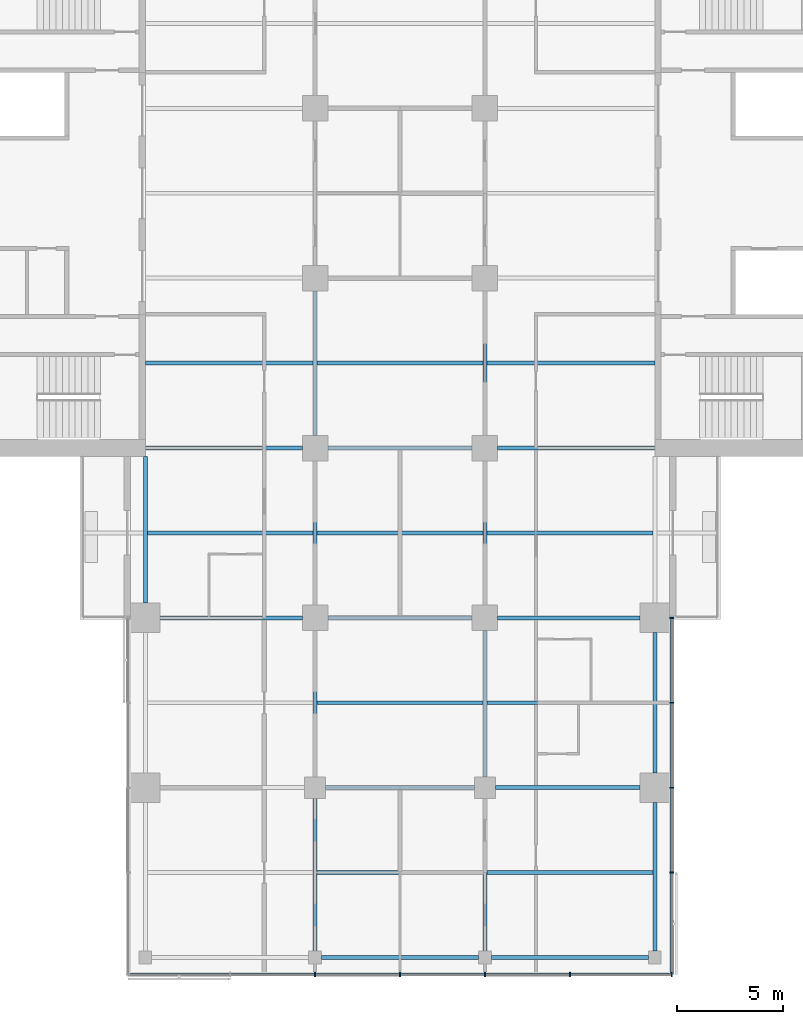
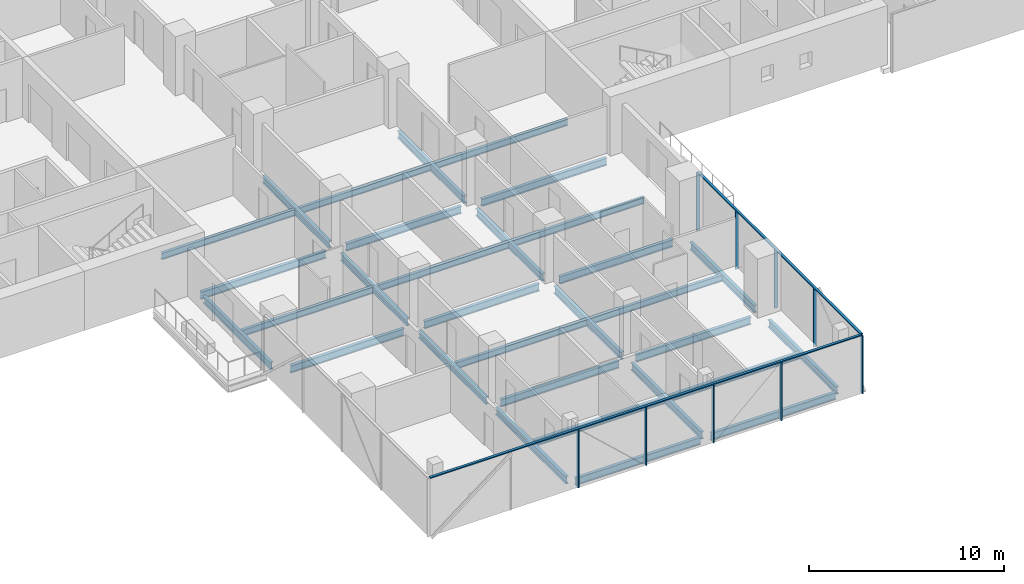
# One storey, part 4 of 27: 31 beams, 11 members, 2 elements without a shape of their own.
"""IFC4 building model written with IfcOpenShell, lengths in metres."""

from ifc_helpers import new_model, si_unit, direction, frame, origin, origin_2d, place, context, subcontext, project, spatial, rectangle, i_section, extrude, material, material_profile, profile_set, type_object, element, aggregate, save


model = new_model("IFC4")

# Units and contexts
model_context = context("Model", 3, precision=1e-05, world=origin(), true_north=direction((0.0, 1.0)))
body_context = subcontext(model_context, "Body", "Model", "MODEL_VIEW")
ifc_project = project(units=[si_unit("LENGTHUNIT", "METRE"), si_unit("AREAUNIT", "SQUARE_METRE"), si_unit("VOLUMEUNIT", "CUBIC_METRE"), si_unit("PLANEANGLEUNIT", "RADIAN"), si_unit("MASSUNIT", "GRAM", prefix="KILO")], contexts=[model_context])

# Site, building, storey
site_placement = place(None, origin())
site = spatial("IfcSite", under=ifc_project, at=site_placement, CompositionType="ELEMENT")
building_placement = place(site_placement, origin())
building = spatial("IfcBuilding", under=site, at=building_placement, Name="Crosswind Convention Tower", CompositionType="ELEMENT")
storey_placement = place(building_placement, frame((0.0, 0.0, 94.199951171875)))
storey = spatial("IfcBuildingStorey", under=building, at=storey_placement, Name="L18", CompositionType="ELEMENT", Elevation=94.199951171875)

# Beams
ifc_material_1 = material(Name="Steel S355", Category="steel")
ifc_material_profile_1 = material_profile(ifc_material_1, i_section(OverallWidth=0.1904296875, OverallDepth=0.457275390625, WebThickness=0.009033203125, FlangeThickness=0.014404296875, FilletRadius=0.01025390625, at=origin_2d()), Name="UB 457x191x75")
ifc_profile_set_1 = profile_set([ifc_material_profile_1], Name="Steel S355")
beam_type_1 = type_object("IfcBeamType", Name="Edge beam UB 457x191x75", PredefinedType="SPANDREL", material=ifc_profile_set_1)
beam_1_placement = place(storey_placement, frame((113.0, 80.699951171875, -0.508544921875), z_axis=(0.0, 1.0, 0.0), x_axis=(-1.0, 0.0, 0.0)))
element("IfcBeam", 1, at=beam_1_placement, inside=storey, type_object=beam_type_1, Name="B17 L18 edge beam 8", PredefinedType="SPANDREL", context=body_context, shape_type="SweptSolid", body=[
    extrude(i_section(OverallWidth=0.1904296875, OverallDepth=0.457275390625, WebThickness=0.009033203125, FlangeThickness=0.014404296875, FilletRadius=0.01025390625, at=origin_2d()), origin(), (0.0, 0.0, 1.0), 6.900146484375),
])
for number, where, z_axis, x_axis, name in (
    (2, (121.300048828125, 64.0, -0.508544921875), (1.0, 0.0, 0.0), (0.0, 1.0, 0.0), "B17 L18 edge beam 14"),
    (3, (129.300048828125, 64.0, -0.508544921875), (1.0, 0.0, 0.0), (0.0, 1.0, 0.0), "B17 L18 edge beam 16"),
):
    element("IfcBeam", number, at=place(storey_placement, frame(where, z_axis=z_axis, x_axis=x_axis)), inside=storey, type_object=beam_type_1, Name=name, PredefinedType="SPANDREL", context=body_context, shape_type="SweptSolid", body=[
        extrude(i_section(OverallWidth=0.1904296875, OverallDepth=0.457275390625, WebThickness=0.009033203125, FlangeThickness=0.014404296875, FilletRadius=0.01025390625, at=origin_2d()), origin(), (0.0, 0.0, 1.0), 7.39990234375),
    ])
beam_2_placement = place(storey_placement, frame((137.0, 64.300048828125, -0.508544921875), z_axis=(0.0, 1.0, 0.0), x_axis=(-1.0, 0.0, 0.0)))
element("IfcBeam", 4, at=beam_2_placement, inside=storey, type_object=beam_type_1, Name="B17 L18 edge beam 18", PredefinedType="SPANDREL", context=body_context, shape_type="SweptSolid", body=[
    extrude(i_section(OverallWidth=0.1904296875, OverallDepth=0.457275390625, WebThickness=0.009033203125, FlangeThickness=0.014404296875, FilletRadius=0.01025390625, at=origin_2d()), origin(), (0.0, 0.0, 1.0), 7.0),
])
beam_3_placement = place(storey_placement, frame((137.0, 72.699951171875, -0.508544921875), z_axis=(0.0, 1.0, 0.0), x_axis=(-1.0, 0.0, 0.0)))
element("IfcBeam", 5, at=beam_3_placement, inside=storey, type_object=beam_type_1, Name="B17 L18 edge beam 19", PredefinedType="SPANDREL", context=body_context, shape_type="SweptSolid", body=[
    extrude(i_section(OverallWidth=0.1904296875, OverallDepth=0.457275390625, WebThickness=0.009033203125, FlangeThickness=0.014404296875, FilletRadius=0.01025390625, at=origin_2d()), origin(), (0.0, 0.0, 1.0), 6.60009765625),
])
ifc_material_profile_2 = material_profile(ifc_material_1, i_section(OverallWidth=0.19140625, OverallDepth=0.460205078125, WebThickness=0.010009765625, FlangeThickness=0.01611328125, FilletRadius=0.01025390625, at=origin_2d()), Name="UB 457x191x82")
ifc_profile_set_2 = profile_set([ifc_material_profile_2], Name="Steel S355")
beam_type_2 = type_object("IfcBeamType", Name="Girder UB 457x191x82", PredefinedType="BEAM", material=ifc_profile_set_2)
beam_4_placement = place(storey_placement, frame((113.699951171875, 80.0, -0.510009765625), z_axis=(1.0, 0.0, 0.0), x_axis=(0.0, 1.0, 0.0)))
element("IfcBeam", 6, at=beam_4_placement, inside=storey, type_object=beam_type_2, Name="B3 L18 girder 2", PredefinedType="BEAM", context=body_context, shape_type="SweptSolid", body=[
    extrude(i_section(OverallWidth=0.19140625, OverallDepth=0.460205078125, WebThickness=0.010009765625, FlangeThickness=0.01611328125, FilletRadius=0.01025390625, at=origin_2d()), origin(), (0.0, 0.0, 1.0), 6.699951171875),
])
beam_5_placement = place(storey_placement, frame((121.0, 64.300048828125, -0.510009765625), z_axis=(0.0, 1.0, 0.0), x_axis=(-1.0, 0.0, 0.0)))
element("IfcBeam", 7, at=beam_5_placement, inside=storey, type_object=beam_type_2, Name="B3 L18 girder 5", PredefinedType="BEAM", context=body_context, shape_type="SweptSolid", body=[
    extrude(i_section(OverallWidth=0.19140625, OverallDepth=0.460205078125, WebThickness=0.010009765625, FlangeThickness=0.01611328125, FilletRadius=0.01025390625, at=origin_2d()), origin(), (0.0, 0.0, 1.0), 7.199951171875),
])
beam_6_placement = place(storey_placement, frame((121.0, 72.5, -0.510009765625), z_axis=(0.0, 1.0, 0.0), x_axis=(-1.0, 0.0, 0.0)))
element("IfcBeam", 8, at=beam_6_placement, inside=storey, type_object=beam_type_2, Name="B3 L18 girder 6", PredefinedType="BEAM", context=body_context, shape_type="SweptSolid", body=[
    extrude(i_section(OverallWidth=0.19140625, OverallDepth=0.460205078125, WebThickness=0.010009765625, FlangeThickness=0.01611328125, FilletRadius=0.01025390625, at=origin_2d()), origin(), (0.0, 0.0, 1.0), 6.89990234375),
])
for number, where, z_axis, x_axis, name in (
    (9, (121.0, 80.60009765625, -0.510009765625), (0.0, 1.0, 0.0), (-1.0, 0.0, 0.0), "B3 L18 girder 7"),
    (10, (121.0, 88.60009765625, -0.510009765625), (0.0, 1.0, 0.0), (-1.0, 0.0, 0.0), "B3 L18 girder 8"),
):
    element("IfcBeam", number, at=place(storey_placement, frame(where, z_axis=z_axis, x_axis=x_axis)), inside=storey, type_object=beam_type_2, Name=name, PredefinedType="BEAM", context=body_context, shape_type="SweptSolid", body=[
        extrude(i_section(OverallWidth=0.19140625, OverallDepth=0.460205078125, WebThickness=0.010009765625, FlangeThickness=0.01611328125, FilletRadius=0.01025390625, at=origin_2d()), origin(), (0.0, 0.0, 1.0), 6.7998046875),
    ])
beam_7_placement = place(storey_placement, frame((121.5, 72.0, -0.510009765625), z_axis=(1.0, 0.0, 0.0), x_axis=(0.0, 1.0, 0.0)))
element("IfcBeam", 11, at=beam_7_placement, inside=storey, type_object=beam_type_2, Name="B3 L18 girder 14", PredefinedType="BEAM", context=body_context, shape_type="SweptSolid", body=[
    extrude(i_section(OverallWidth=0.19140625, OverallDepth=0.460205078125, WebThickness=0.010009765625, FlangeThickness=0.01611328125, FilletRadius=0.01025390625, at=origin_2d()), origin(), (0.0, 0.0, 1.0), 7.0),
])
for number, where, z_axis, x_axis, name in (
    (12, (121.60009765625, 80.0, -0.510009765625), (1.0, 0.0, 0.0), (0.0, 1.0, 0.0), "B3 L18 girder 16"),
    (13, (121.60009765625, 88.0, -0.510009765625), (1.0, 0.0, 0.0), (0.0, 1.0, 0.0), "B3 L18 girder 17"),
):
    element("IfcBeam", number, at=place(storey_placement, frame(where, z_axis=z_axis, x_axis=x_axis)), inside=storey, type_object=beam_type_2, Name=name, PredefinedType="BEAM", context=body_context, shape_type="SweptSolid", body=[
        extrude(i_section(OverallWidth=0.19140625, OverallDepth=0.460205078125, WebThickness=0.010009765625, FlangeThickness=0.01611328125, FilletRadius=0.01025390625, at=origin_2d()), origin(), (0.0, 0.0, 1.0), 6.7998046875),
    ])
beam_8_placement = place(storey_placement, frame((129.0, 64.300048828125, -0.510009765625), z_axis=(0.0, 1.0, 0.0), x_axis=(-1.0, 0.0, 0.0)))
element("IfcBeam", 14, at=beam_8_placement, inside=storey, type_object=beam_type_2, Name="B3 L18 girder 22", PredefinedType="BEAM", context=body_context, shape_type="SweptSolid", body=[
    extrude(i_section(OverallWidth=0.19140625, OverallDepth=0.460205078125, WebThickness=0.010009765625, FlangeThickness=0.01611328125, FilletRadius=0.01025390625, at=origin_2d()), origin(), (0.0, 0.0, 1.0), 7.199951171875),
])
beam_9_placement = place(storey_placement, frame((129.0, 72.5, -0.510009765625), z_axis=(0.0, 1.0, 0.0), x_axis=(-1.0, 0.0, 0.0)))
element("IfcBeam", 15, at=beam_9_placement, inside=storey, type_object=beam_type_2, Name="B3 L18 girder 23", PredefinedType="BEAM", context=body_context, shape_type="SweptSolid", body=[
    extrude(i_section(OverallWidth=0.19140625, OverallDepth=0.460205078125, WebThickness=0.010009765625, FlangeThickness=0.01611328125, FilletRadius=0.01025390625, at=origin_2d()), origin(), (0.0, 0.0, 1.0), 6.89990234375),
])
for number, where, z_axis, x_axis, name in (
    (16, (129.0, 80.60009765625, -0.510009765625), (0.0, 1.0, 0.0), (-1.0, 0.0, 0.0), "B3 L18 girder 24"),
    (17, (129.0, 88.60009765625, -0.510009765625), (0.0, 1.0, 0.0), (-1.0, 0.0, 0.0), "B3 L18 girder 25"),
):
    element("IfcBeam", number, at=place(storey_placement, frame(where, z_axis=z_axis, x_axis=x_axis)), inside=storey, type_object=beam_type_2, Name=name, PredefinedType="BEAM", context=body_context, shape_type="SweptSolid", body=[
        extrude(i_section(OverallWidth=0.19140625, OverallDepth=0.460205078125, WebThickness=0.010009765625, FlangeThickness=0.01611328125, FilletRadius=0.01025390625, at=origin_2d()), origin(), (0.0, 0.0, 1.0), 6.7998046875),
    ])
beam_10_placement = place(storey_placement, frame((129.5, 72.0, -0.510009765625), z_axis=(1.0, 0.0, 0.0), x_axis=(0.0, 1.0, 0.0)))
element("IfcBeam", 18, at=beam_10_placement, inside=storey, type_object=beam_type_2, Name="B3 L18 girder 31", PredefinedType="BEAM", context=body_context, shape_type="SweptSolid", body=[
    extrude(i_section(OverallWidth=0.19140625, OverallDepth=0.460205078125, WebThickness=0.010009765625, FlangeThickness=0.01611328125, FilletRadius=0.01025390625, at=origin_2d()), origin(), (0.0, 0.0, 1.0), 6.800048828125),
])
beam_11_placement = place(storey_placement, frame((129.60009765625, 80.0, -0.510009765625), z_axis=(1.0, 0.0, 0.0), x_axis=(0.0, 1.0, 0.0)))
element("IfcBeam", 19, at=beam_11_placement, inside=storey, type_object=beam_type_2, Name="B3 L18 girder 33", PredefinedType="BEAM", context=body_context, shape_type="SweptSolid", body=[
    extrude(i_section(OverallWidth=0.19140625, OverallDepth=0.460205078125, WebThickness=0.010009765625, FlangeThickness=0.01611328125, FilletRadius=0.01025390625, at=origin_2d()), origin(), (0.0, 0.0, 1.0), 6.699951171875),
])
ifc_material_profile_3 = material_profile(ifc_material_1, i_section(OverallWidth=0.19189453125, OverallDepth=0.463623046875, WebThickness=0.010498046875, FlangeThickness=0.017578125, FilletRadius=0.01025390625, at=origin_2d()), Name="UB 457x191x90")
ifc_profile_set_3 = profile_set([ifc_material_profile_3], Name="Steel S355")
beam_type_3 = type_object("IfcBeamType", Name="Girder at core wall UB 457x191x90", PredefinedType="BEAM", material=ifc_profile_set_3)
for number, where, z_axis, x_axis, name in (
    (20, (113.0, 88.0, -0.51171875), (1.0, 0.0, 0.0), (0.0, 1.0, 0.0), "B24 L18 girder at core wall 3"),
    (21, (129.60009765625, 88.0, -0.51171875), (1.0, 0.0, 0.0), (0.0, 1.0, 0.0), "B24 L18 girder at core wall 7"),
):
    element("IfcBeam", number, at=place(storey_placement, frame(where, z_axis=z_axis, x_axis=x_axis)), inside=storey, type_object=beam_type_3, Name=name, PredefinedType="BEAM", context=body_context, shape_type="SweptSolid", body=[
        extrude(i_section(OverallWidth=0.19189453125, OverallDepth=0.463623046875, WebThickness=0.010498046875, FlangeThickness=0.017578125, FilletRadius=0.01025390625, at=origin_2d()), origin(), (0.0, 0.0, 1.0), 7.39990234375),
    ])

# Curtain wall, members
ifc_material_2 = material(Name="Aluminium unitised curtain wall", Category="aluminium")
curtain_wall_type = type_object("IfcCurtainWallType", Name="HOTEL UNITISED WALL 200", PredefinedType="USERDEFINED", material=ifc_material_2)
curtain_wall_1_placement = place(storey_placement, origin())
curtain_wall_1 = element("IfcCurtainWall", 22, at=curtain_wall_1_placement, inside=storey, type_object=curtain_wall_type, Name="CW2 L18 S-TIP 1", ObjectType="UNITISED", PredefinedType="USERDEFINED")
ifc_material_3 = material(Name="Aluminium mullion", Category="aluminium")
ifc_material_profile_4 = material_profile(ifc_material_3, rectangle(XDim=0.199951171875, YDim=0.06494140625, at=origin_2d()), Name="AL 200X65")
ifc_profile_set_4 = profile_set([ifc_material_profile_4], Name="Aluminium mullion")
member_type_1 = type_object("IfcMemberType", Name="MULLION 65X200", PredefinedType="MULLION", material=ifc_profile_set_4)
member_1_placement = place(storey_placement, frame((121.0, 63.199951171875, -0.280029296875), z_axis=(0.0, 0.0, 1.0), x_axis=(0.0, -1.0, 0.0)))
member_1 = element("IfcMember", 23, at=member_1_placement, type_object=member_type_1, Name="CW2 mullion 3", PredefinedType="MULLION", context=body_context, shape_type="SweptSolid", body=[
    extrude(rectangle(XDim=0.199951171875, YDim=0.06494140625, at=origin_2d()), origin(), (0.0, 0.0, 1.0), 3.635009765625),
])
member_2_placement = place(storey_placement, frame((125.0, 63.199951171875, -0.280029296875), z_axis=(0.0, 0.0, 1.0), x_axis=(0.0, -1.0, 0.0)))
member_2 = element("IfcMember", 24, at=member_2_placement, type_object=member_type_1, Name="CW2 mullion 4", PredefinedType="MULLION", context=body_context, shape_type="SweptSolid", body=[
    extrude(rectangle(XDim=0.199951171875, YDim=0.06494140625, at=origin_2d()), origin(), (0.0, 0.0, 1.0), 3.635009765625),
])
member_3_placement = place(storey_placement, frame((129.0, 63.199951171875, -0.280029296875), z_axis=(0.0, 0.0, 1.0), x_axis=(0.0, -1.0, 0.0)))
member_3 = element("IfcMember", 25, at=member_3_placement, type_object=member_type_1, Name="CW2 mullion 5", PredefinedType="MULLION", context=body_context, shape_type="SweptSolid", body=[
    extrude(rectangle(XDim=0.199951171875, YDim=0.06494140625, at=origin_2d()), origin(), (0.0, 0.0, 1.0), 3.635009765625),
])
member_4_placement = place(storey_placement, frame((133.0, 63.199951171875, -0.280029296875), z_axis=(0.0, 0.0, 1.0), x_axis=(0.0, -1.0, 0.0)))
member_4 = element("IfcMember", 26, at=member_4_placement, type_object=member_type_1, Name="CW2 mullion 6", PredefinedType="MULLION", context=body_context, shape_type="SweptSolid", body=[
    extrude(rectangle(XDim=0.199951171875, YDim=0.06494140625, at=origin_2d()), origin(), (0.0, 0.0, 1.0), 3.635009765625),
])
member_5_placement = place(storey_placement, frame((137.800048828125, 63.199951171875, -0.280029296875), z_axis=(0.0, 0.0, 1.0), x_axis=(0.0, -1.0, 0.0)))
member_5 = element("IfcMember", 27, at=member_5_placement, type_object=member_type_1, Name="CW2 mullion 7", PredefinedType="MULLION", context=body_context, shape_type="SweptSolid", body=[
    extrude(rectangle(XDim=0.199951171875, YDim=0.06494140625, at=origin_2d()), origin(), (0.0, 0.0, 1.0), 3.635009765625),
])

curtain_wall_2_placement = place(storey_placement, origin())
curtain_wall_2 = element("IfcCurtainWall", 28, at=curtain_wall_2_placement, inside=storey, type_object=curtain_wall_type, Name="CW2 L18 S-E 1", ObjectType="UNITISED", PredefinedType="USERDEFINED")
member_6_placement = place(storey_placement, frame((137.800048828125, 68.0, -0.280029296875), z_axis=(0.0, 0.0, 1.0), x_axis=(1.0, 0.0, 0.0)))
member_6 = element("IfcMember", 29, at=member_6_placement, type_object=member_type_1, Name="CW2 mullion 2", PredefinedType="MULLION", context=body_context, shape_type="SweptSolid", body=[
    extrude(rectangle(XDim=0.199951171875, YDim=0.06494140625, at=origin_2d()), origin(), (0.0, 0.0, 1.0), 3.635009765625),
])
member_7_placement = place(storey_placement, frame((137.800048828125, 72.0, -0.280029296875), z_axis=(0.0, 0.0, 1.0), x_axis=(1.0, 0.0, 0.0)))
member_7 = element("IfcMember", 30, at=member_7_placement, type_object=member_type_1, Name="CW2 mullion 3", PredefinedType="MULLION", context=body_context, shape_type="SweptSolid", body=[
    extrude(rectangle(XDim=0.199951171875, YDim=0.06494140625, at=origin_2d()), origin(), (0.0, 0.0, 1.0), 3.635009765625),
])
member_8_placement = place(storey_placement, frame((137.800048828125, 76.0, -0.280029296875), z_axis=(0.0, 0.0, 1.0), x_axis=(1.0, 0.0, 0.0)))
member_8 = element("IfcMember", 31, at=member_8_placement, type_object=member_type_1, Name="CW2 mullion 4", PredefinedType="MULLION", context=body_context, shape_type="SweptSolid", body=[
    extrude(rectangle(XDim=0.199951171875, YDim=0.06494140625, at=origin_2d()), origin(), (0.0, 0.0, 1.0), 3.635009765625),
])
member_9_placement = place(storey_placement, frame((137.800048828125, 80.0, -0.280029296875), z_axis=(0.0, 0.0, 1.0), x_axis=(1.0, 0.0, 0.0)))
member_9 = element("IfcMember", 32, at=member_9_placement, type_object=member_type_1, Name="CW2 mullion 5", PredefinedType="MULLION", context=body_context, shape_type="SweptSolid", body=[
    extrude(rectangle(XDim=0.199951171875, YDim=0.06494140625, at=origin_2d()), origin(), (0.0, 0.0, 1.0), 3.635009765625),
])

# Beams
ifc_material_profile_5 = material_profile(ifc_material_1, i_section(OverallWidth=0.177734375, OverallDepth=0.406494140625, WebThickness=0.0078125, FlangeThickness=0.0126953125, FilletRadius=0.01025390625, at=origin_2d()), Name="UB 406x178x60")
ifc_profile_set_5 = profile_set([ifc_material_profile_5], Name="Steel S355")
beam_type_4 = type_object("IfcBeamType", Name="Secondary beam UB 406x178x60", PredefinedType="JOIST", material=ifc_profile_set_5)
beam_12_placement = place(storey_placement, frame((113.0, 92.0, -0.483154296875), z_axis=(1.0, 0.0, 0.0), x_axis=(0.0, 1.0, 0.0)))
element("IfcBeam", 33, at=beam_12_placement, inside=storey, type_object=beam_type_4, Name="B10 L18 secondary beam 4", PredefinedType="JOIST", context=body_context, shape_type="SweptSolid", body=[
    extrude(i_section(OverallWidth=0.177734375, OverallDepth=0.406494140625, WebThickness=0.0078125, FlangeThickness=0.0126953125, FilletRadius=0.01025390625, at=origin_2d()), origin(), (0.0, 0.0, 1.0), 7.904296875),
])
beam_13_placement = place(storey_placement, frame((113.09521484375, 84.0, -0.483154296875), z_axis=(1.0, 0.0, 0.0), x_axis=(0.0, 1.0, 0.0)))
element("IfcBeam", 34, at=beam_13_placement, inside=storey, type_object=beam_type_4, Name="B10 L18 secondary beam 9", PredefinedType="JOIST", context=body_context, shape_type="SweptSolid", body=[
    extrude(i_section(OverallWidth=0.177734375, OverallDepth=0.406494140625, WebThickness=0.0078125, FlangeThickness=0.0126953125, FilletRadius=0.01025390625, at=origin_2d()), origin(), (0.0, 0.0, 1.0), 7.80908203125),
])
for number, where, z_axis, x_axis, name in (
    (35, (121.095703125, 68.0, -0.483154296875), (1.0, 0.0, 0.0), (0.0, 1.0, 0.0), "B10 L18 secondary beam 13"),
    (36, (121.095703125, 76.0, -0.483154296875), (1.0, 0.0, 0.0), (0.0, 1.0, 0.0), "B10 L18 secondary beam 14"),
    (37, (121.095703125, 84.0, -0.483154296875), (1.0, 0.0, 0.0), (0.0, 1.0, 0.0), "B10 L18 secondary beam 15"),
    (38, (121.095703125, 92.0, -0.483154296875), (1.0, 0.0, 0.0), (0.0, 1.0, 0.0), "B10 L18 secondary beam 16"),
):
    element("IfcBeam", number, at=place(storey_placement, frame(where, z_axis=z_axis, x_axis=x_axis)), inside=storey, type_object=beam_type_4, Name=name, PredefinedType="JOIST", context=body_context, shape_type="SweptSolid", body=[
        extrude(i_section(OverallWidth=0.177734375, OverallDepth=0.406494140625, WebThickness=0.0078125, FlangeThickness=0.0126953125, FilletRadius=0.01025390625, at=origin_2d()), origin(), (0.0, 0.0, 1.0), 7.80859375),
    ])
for number, where, z_axis, x_axis, name in (
    (39, (129.095703125, 68.0, -0.483154296875), (1.0, 0.0, 0.0), (0.0, 1.0, 0.0), "B10 L18 secondary beam 22"),
    (40, (129.095703125, 76.0, -0.483154296875), (1.0, 0.0, 0.0), (0.0, 1.0, 0.0), "B10 L18 secondary beam 23"),
    (41, (129.095703125, 84.0, -0.483154296875), (1.0, 0.0, 0.0), (0.0, 1.0, 0.0), "B10 L18 secondary beam 24"),
):
    element("IfcBeam", number, at=place(storey_placement, frame(where, z_axis=z_axis, x_axis=x_axis)), inside=storey, type_object=beam_type_4, Name=name, PredefinedType="JOIST", context=body_context, shape_type="SweptSolid", body=[
        extrude(i_section(OverallWidth=0.177734375, OverallDepth=0.406494140625, WebThickness=0.0078125, FlangeThickness=0.0126953125, FilletRadius=0.01025390625, at=origin_2d()), origin(), (0.0, 0.0, 1.0), 7.80908203125),
    ])
beam_14_placement = place(storey_placement, frame((129.095703125, 92.0, -0.483154296875), z_axis=(1.0, 0.0, 0.0), x_axis=(0.0, 1.0, 0.0)))
element("IfcBeam", 42, at=beam_14_placement, inside=storey, type_object=beam_type_4, Name="B10 L18 secondary beam 25", PredefinedType="JOIST", context=body_context, shape_type="SweptSolid", body=[
    extrude(i_section(OverallWidth=0.177734375, OverallDepth=0.406494140625, WebThickness=0.0078125, FlangeThickness=0.0126953125, FilletRadius=0.01025390625, at=origin_2d()), origin(), (0.0, 0.0, 1.0), 7.904296875),
])

# Member
ifc_material_4 = material(Name="Aluminium transom", Category="aluminium")
ifc_material_profile_6 = material_profile(ifc_material_4, rectangle(XDim=0.14990234375, YDim=0.06494140625, at=origin_2d()), Name="AL 150X65")
ifc_profile_set_6 = profile_set([ifc_material_profile_6], Name="Aluminium transom")
member_type_2 = type_object("IfcMemberType", Name="TRANSOM 65X150", PredefinedType="USERDEFINED", material=ifc_profile_set_6)
member_10_placement = place(storey_placement, frame((112.232421875, 63.199951171875, 3.387451171875), z_axis=(1.0, 0.0, 0.0), x_axis=(0.0, 1.0, 0.0)))
member_10 = element("IfcMember", 43, at=member_10_placement, type_object=member_type_2, Name="CW2 transom", ObjectType="TRANSOM", PredefinedType="USERDEFINED", context=body_context, shape_type="SweptSolid", body=[
    extrude(rectangle(XDim=0.14990234375, YDim=0.06494140625, at=origin_2d()), origin(), (0.0, 0.0, 1.0), 25.53515625),
])

aggregate(curtain_wall_1, [member_1, member_2, member_3, member_4, member_5, member_10])

member_11_placement = place(storey_placement, frame((137.800048828125, 63.232421875, 3.387451171875), z_axis=(0.0, 1.0, 0.0), x_axis=(-1.0, 0.0, 0.0)))
member_11 = element("IfcMember", 44, at=member_11_placement, type_object=member_type_2, Name="CW2 transom", ObjectType="TRANSOM", PredefinedType="USERDEFINED", context=body_context, shape_type="SweptSolid", body=[
    extrude(rectangle(XDim=0.14990234375, YDim=0.06494140625, at=origin_2d()), origin(), (0.0, 0.0, 1.0), 16.735107421875),
])

aggregate(curtain_wall_2, [member_6, member_7, member_8, member_9, member_11])

save(model, "model.ifc")
